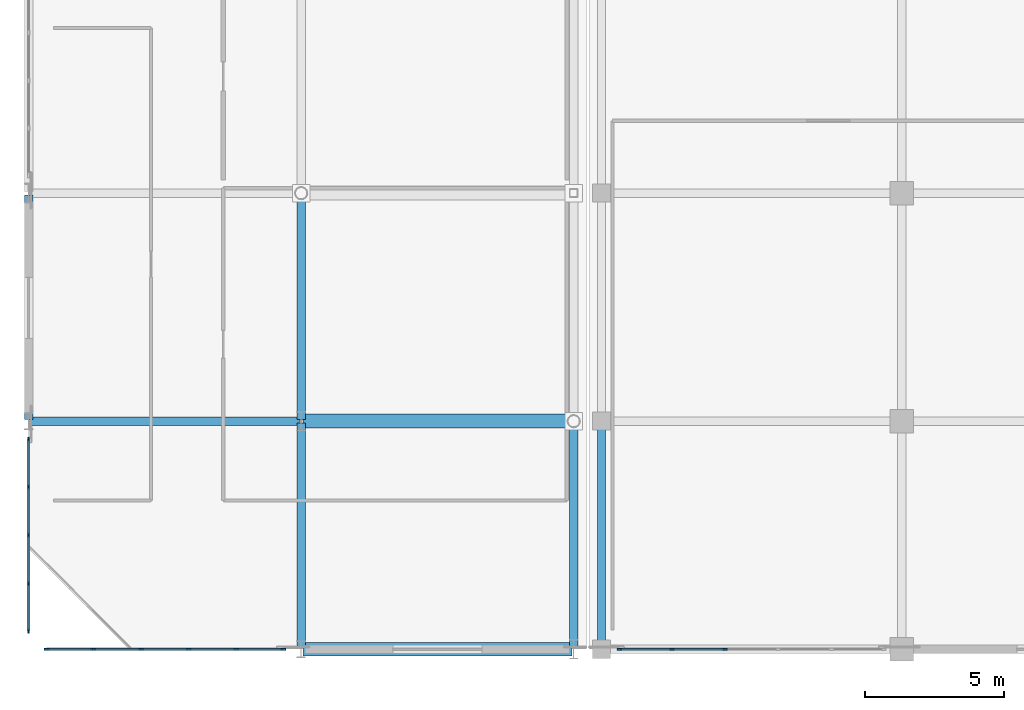
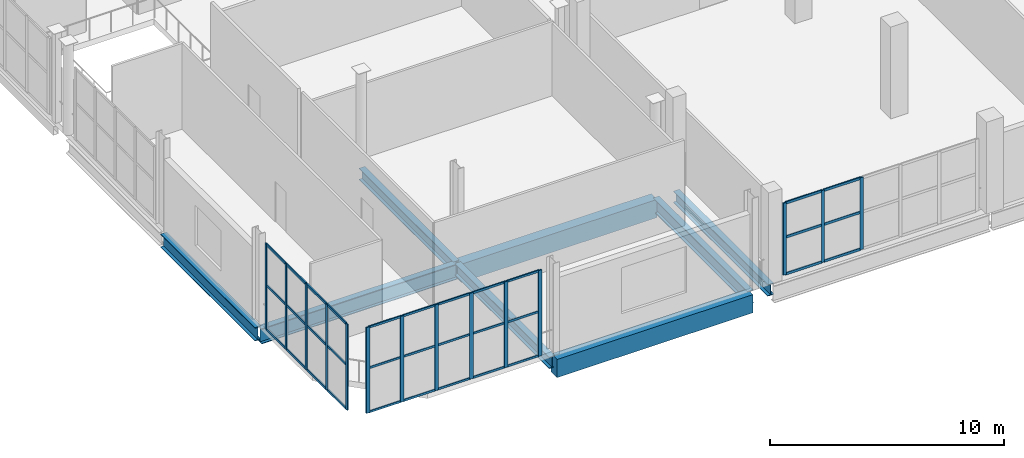
# One storey, part 12 of 142: 47 members, 8 beams, 3 elements without a shape of their own.
"""IFC4 building model written with IfcOpenShell, lengths in metres."""

from ifc_helpers import new_model, si_unit, direction, frame, origin, origin_2d, place, context, subcontext, project, spatial, rectangle, i_section, extrude, material, material_profile, profile_set, type_object, element, aggregate, save


model = new_model("IFC4")

# Units and contexts
model_context = context("Model", 3, precision=1e-05, world=origin(), true_north=direction((0.0, 1.0)))
body_context = subcontext(model_context, "Body", "Model", "MODEL_VIEW")
ifc_project = project(units=[si_unit("LENGTHUNIT", "METRE"), si_unit("AREAUNIT", "SQUARE_METRE"), si_unit("VOLUMEUNIT", "CUBIC_METRE"), si_unit("PLANEANGLEUNIT", "RADIAN"), si_unit("MASSUNIT", "GRAM", prefix="KILO")], contexts=[model_context])

# Site, building, storey
site_placement = place(None, origin())
site = spatial("IfcSite", under=ifc_project, at=site_placement, CompositionType="ELEMENT")
building_placement = place(site_placement, origin())
building = spatial("IfcBuilding", under=site, at=building_placement, Name="Koshinbarg Plaza Stadium", CompositionType="ELEMENT")
storey_placement = place(building_placement, frame((0.0, 0.0, 10.199951171875)))
storey = spatial("IfcBuildingStorey", under=building, at=storey_placement, Name="L02", CompositionType="ELEMENT", Elevation=10.199951171875)

# Beams
ifc_material_1 = material(Name="Concrete C40/50", Category="concrete")
ifc_material_profile_1 = material_profile(ifc_material_1, rectangle(XDim=0.5, YDim=0.949951171875, at=origin_2d()), Name="RC 500x950")
ifc_profile_set_1 = profile_set([ifc_material_profile_1], Name="Concrete C40/50")
beam_type_1 = type_object("IfcBeamType", Name="BM-RCG-06", PredefinedType="USERDEFINED", material=ifc_profile_set_1)
for number, where, z_axis, x_axis, name in (
    (1, (13.860107421875, 0.0, -0.77490234375), (1.0, 0.0, 0.0), (0.0, 1.0, 0.0), "L02 X girder A/3-4"),
    (2, (13.860107421875, 8.199951171875, -0.77490234375), (1.0, 0.0, 0.0), (0.0, 1.0, 0.0), "L02 X girder B/3-4"),
):
    element("IfcBeam", number, at=place(storey_placement, frame(where, z_axis=z_axis, x_axis=x_axis)), inside=storey, type_object=beam_type_1, Name=name, ObjectType="GIRDER", PredefinedType="USERDEFINED", context=body_context, shape_type="SweptSolid", body=[
        extrude(rectangle(XDim=0.5, YDim=0.949951171875, at=origin_2d()), origin(), (0.0, 0.0, 1.0), 9.679931640625),
    ])
ifc_material_2 = material(Name="Steel S355", Category="steel")
ifc_material_profile_2 = material_profile(ifc_material_2, i_section(OverallWidth=0.300048828125, OverallDepth=0.60009765625, WebThickness=0.015380859375, FlangeThickness=0.030029296875, at=origin_2d()), Name="HEB 600")
ifc_profile_set_2 = profile_set([ifc_material_profile_2], Name="Steel S355")
beam_type_2 = type_object("IfcBeamType", Name="BM-SGIR-02", PredefinedType="USERDEFINED", material=ifc_profile_set_2)
beam_1_placement = place(storey_placement, frame((13.800048828125, 0.06005859375, -0.599853515625), z_axis=(0.0, 1.0, 0.0), x_axis=(-1.0, 0.0, 0.0)))
element("IfcBeam", 3, at=beam_1_placement, inside=storey, type_object=beam_type_2, Name="L02 Y girder 3/A-B", ObjectType="GIRDER", PredefinedType="USERDEFINED", context=body_context, shape_type="SweptSolid", body=[
    extrude(i_section(OverallWidth=0.300048828125, OverallDepth=0.60009765625, WebThickness=0.015380859375, FlangeThickness=0.030029296875, at=origin_2d()), origin(), (0.0, 0.0, 1.0), 8.079833984375),
])
beam_2_placement = place(storey_placement, frame((13.800048828125, 8.260009765625, -0.599853515625), z_axis=(0.0, 1.0, 0.0), x_axis=(-1.0, 0.0, 0.0)))
element("IfcBeam", 4, at=beam_2_placement, inside=storey, type_object=beam_type_2, Name="L02 Y girder 3/B-C", ObjectType="GIRDER", PredefinedType="USERDEFINED", context=body_context, shape_type="SweptSolid", body=[
    extrude(i_section(OverallWidth=0.300048828125, OverallDepth=0.60009765625, WebThickness=0.015380859375, FlangeThickness=0.030029296875, at=origin_2d()), origin(), (0.0, 0.0, 1.0), 8.080078125),
])
beam_3_placement = place(storey_placement, frame((24.60009765625, 0.06005859375, -0.599853515625), z_axis=(0.0, 1.0, 0.0), x_axis=(-1.0, 0.0, 0.0)))
element("IfcBeam", 5, at=beam_3_placement, inside=storey, type_object=beam_type_2, Name="L02 Y girder 5/A-B", ObjectType="GIRDER", PredefinedType="USERDEFINED", context=body_context, shape_type="SweptSolid", body=[
    extrude(i_section(OverallWidth=0.300048828125, OverallDepth=0.60009765625, WebThickness=0.015380859375, FlangeThickness=0.030029296875, at=origin_2d()), origin(), (0.0, 0.0, 1.0), 8.079833984375),
])
ifc_material_profile_3 = material_profile(ifc_material_2, i_section(OverallWidth=0.300048828125, OverallDepth=0.699951171875, WebThickness=0.01708984375, FlangeThickness=0.031982421875, at=origin_2d()), Name="HEB 700")
ifc_profile_set_3 = profile_set([ifc_material_profile_3], Name="Steel S355")
beam_type_3 = type_object("IfcBeamType", Name="BM-SGIR-03", PredefinedType="USERDEFINED", material=ifc_profile_set_3)
beam_4_placement = place(storey_placement, frame((4.0, 8.260009765625, -0.64990234375), z_axis=(0.0, 1.0, 0.0), x_axis=(-1.0, 0.0, 0.0)))
element("IfcBeam", 6, at=beam_4_placement, inside=storey, type_object=beam_type_3, Name="L02 Y girder 2/B-C", ObjectType="GIRDER", PredefinedType="USERDEFINED", context=body_context, shape_type="SweptSolid", body=[
    extrude(i_section(OverallWidth=0.300048828125, OverallDepth=0.699951171875, WebThickness=0.01708984375, FlangeThickness=0.031982421875, at=origin_2d()), origin(), (0.0, 0.0, 1.0), 8.080078125),
])
beam_5_placement = place(storey_placement, frame((23.60009765625, 0.06005859375, -0.64990234375), z_axis=(0.0, 1.0, 0.0), x_axis=(-1.0, 0.0, 0.0)))
element("IfcBeam", 7, at=beam_5_placement, inside=storey, type_object=beam_type_3, Name="L02 Y girder 4/A-B", ObjectType="GIRDER", PredefinedType="USERDEFINED", context=body_context, shape_type="SweptSolid", body=[
    extrude(i_section(OverallWidth=0.300048828125, OverallDepth=0.699951171875, WebThickness=0.01708984375, FlangeThickness=0.031982421875, at=origin_2d()), origin(), (0.0, 0.0, 1.0), 8.079833984375),
])
ifc_material_profile_4 = material_profile(ifc_material_2, i_section(OverallWidth=0.300048828125, OverallDepth=0.800048828125, WebThickness=0.017578125, FlangeThickness=0.032958984375, at=origin_2d()), Name="HEB 800")
ifc_profile_set_4 = profile_set([ifc_material_profile_4], Name="Steel S355")
beam_type_4 = type_object("IfcBeamType", Name="BM-SGIR-04", PredefinedType="USERDEFINED", material=ifc_profile_set_4)
beam_6_placement = place(storey_placement, frame((4.06005859375, 8.199951171875, -0.699951171875), z_axis=(1.0, 0.0, 0.0), x_axis=(0.0, 1.0, 0.0)))
element("IfcBeam", 8, at=beam_6_placement, inside=storey, type_object=beam_type_4, Name="L02 X girder B/2-3", ObjectType="GIRDER", PredefinedType="USERDEFINED", context=body_context, shape_type="SweptSolid", body=[
    extrude(i_section(OverallWidth=0.300048828125, OverallDepth=0.800048828125, WebThickness=0.017578125, FlangeThickness=0.032958984375, at=origin_2d()), origin(), (0.0, 0.0, 1.0), 9.679931640625),
])

# Curtain wall, members
ifc_material_3 = material(Name="Thermally broken anodised aluminium and low-E double glazing", Category="aluminium")
curtain_wall_type_1 = type_object("IfcCurtainWallType", Name="CW-SYS-06", PredefinedType="NOTDEFINED", material=ifc_material_3)
curtain_wall_1_placement = place(storey_placement, origin())
curtain_wall_1 = element("IfcCurtainWall", 9, at=curtain_wall_1_placement, inside=storey, type_object=curtain_wall_type_1, Name="L02 unitised curtain wall CW-L02-037", PredefinedType="NOTDEFINED")
ifc_material_4 = material(Name="Anodised aluminium mullion", Category="aluminium")
ifc_material_profile_5 = material_profile(ifc_material_4, rectangle(XDim=0.06005859375, YDim=0.159912109375, at=origin_2d()), Name="ALU 60x160")
ifc_profile_set_5 = profile_set([ifc_material_profile_5], Name="Anodised aluminium mullion")
member_type_1 = type_object("IfcMemberType", Name="CW-MUL-02", PredefinedType="MULLION", material=ifc_profile_set_5)
member_1_placement = place(storey_placement, frame((4.0, 0.64990234375, 0.0), z_axis=(0.0, 0.0, 1.0), x_axis=(-1.0, 0.0, 0.0)))
member_1 = element("IfcMember", 10, at=member_1_placement, type_object=member_type_1, Name="CW06 mullion 1", PredefinedType="MULLION", context=body_context, shape_type="SweptSolid", body=[
    extrude(rectangle(XDim=0.06005859375, YDim=0.159912109375, at=origin_2d()), origin(), (0.0, 0.0, 1.0), 4.47998046875),
])
member_2_placement = place(storey_placement, frame((4.0, 2.360107421875, 0.0), z_axis=(0.0, 0.0, 1.0), x_axis=(-1.0, 0.0, 0.0)))
member_2 = element("IfcMember", 11, at=member_2_placement, type_object=member_type_1, Name="CW06 mullion 2", PredefinedType="MULLION", context=body_context, shape_type="SweptSolid", body=[
    extrude(rectangle(XDim=0.06005859375, YDim=0.159912109375, at=origin_2d()), origin(), (0.0, 0.0, 1.0), 4.47998046875),
])
member_3_placement = place(storey_placement, frame((4.0, 4.10009765625, 0.0), z_axis=(0.0, 0.0, 1.0), x_axis=(-1.0, 0.0, 0.0)))
member_3 = element("IfcMember", 12, at=member_3_placement, type_object=member_type_1, Name="CW06 mullion 3", PredefinedType="MULLION", context=body_context, shape_type="SweptSolid", body=[
    extrude(rectangle(XDim=0.06005859375, YDim=0.159912109375, at=origin_2d()), origin(), (0.0, 0.0, 1.0), 4.47998046875),
])
member_4_placement = place(storey_placement, frame((4.0, 5.840087890625, 0.0), z_axis=(0.0, 0.0, 1.0), x_axis=(-1.0, 0.0, 0.0)))
member_4 = element("IfcMember", 13, at=member_4_placement, type_object=member_type_1, Name="CW06 mullion 4", PredefinedType="MULLION", context=body_context, shape_type="SweptSolid", body=[
    extrude(rectangle(XDim=0.06005859375, YDim=0.159912109375, at=origin_2d()), origin(), (0.0, 0.0, 1.0), 4.47998046875),
])
member_5_placement = place(storey_placement, frame((4.0, 7.550048828125, 0.0), z_axis=(0.0, 0.0, 1.0), x_axis=(-1.0, 0.0, 0.0)))
member_5 = element("IfcMember", 14, at=member_5_placement, type_object=member_type_1, Name="CW06 mullion 5", PredefinedType="MULLION", context=body_context, shape_type="SweptSolid", body=[
    extrude(rectangle(XDim=0.06005859375, YDim=0.159912109375, at=origin_2d()), origin(), (0.0, 0.0, 1.0), 4.47998046875),
])

curtain_wall_2_placement = place(storey_placement, origin())
curtain_wall_2 = element("IfcCurtainWall", 15, at=curtain_wall_2_placement, inside=storey, type_object=curtain_wall_type_1, Name="L02 unitised curtain wall CW-L02-069", PredefinedType="NOTDEFINED")
member_6_placement = place(storey_placement, frame((29.0439453125, 0.0, 0.0), z_axis=(0.0, 0.0, 1.0), x_axis=(0.0, -1.0, 0.0)))
member_6 = element("IfcMember", 16, at=member_6_placement, type_object=member_type_1, Name="CW06 mullion 4", PredefinedType="MULLION", context=body_context, shape_type="SweptSolid", body=[
    extrude(rectangle(XDim=0.06005859375, YDim=0.159912109375, at=origin_2d()), origin(), (0.0, 0.0, 1.0), 3.760009765625),
])
member_7_placement = place(storey_placement, frame((27.132080078125, 0.0, 0.0), z_axis=(0.0, 0.0, 1.0), x_axis=(0.0, -1.0, 0.0)))
member_7 = element("IfcMember", 17, at=member_7_placement, type_object=member_type_1, Name="CW06 mullion 5", PredefinedType="MULLION", context=body_context, shape_type="SweptSolid", body=[
    extrude(rectangle(XDim=0.06005859375, YDim=0.159912109375, at=origin_2d()), origin(), (0.0, 0.0, 1.0), 3.760009765625),
])
member_8_placement = place(storey_placement, frame((25.25, 0.0, 0.0), z_axis=(0.0, 0.0, 1.0), x_axis=(0.0, -1.0, 0.0)))
member_8 = element("IfcMember", 18, at=member_8_placement, type_object=member_type_1, Name="CW06 mullion 6", PredefinedType="MULLION", context=body_context, shape_type="SweptSolid", body=[
    extrude(rectangle(XDim=0.06005859375, YDim=0.159912109375, at=origin_2d()), origin(), (0.0, 0.0, 1.0), 3.760009765625),
])

curtain_wall_type_2 = type_object("IfcCurtainWallType", Name="CW-SYS-07", PredefinedType="NOTDEFINED", material=ifc_material_3)
curtain_wall_3_placement = place(storey_placement, origin())
curtain_wall_3 = element("IfcCurtainWall", 19, at=curtain_wall_3_placement, inside=storey, type_object=curtain_wall_type_2, Name="L02 unitised curtain wall CW-L02-070", PredefinedType="NOTDEFINED")
ifc_material_profile_6 = material_profile(ifc_material_4, rectangle(XDim=0.070068359375, YDim=0.179931640625, at=origin_2d()), Name="ALU 70x180")
ifc_profile_set_6 = profile_set([ifc_material_profile_6], Name="Anodised aluminium mullion")
member_type_2 = type_object("IfcMemberType", Name="CW-MUL-03", PredefinedType="MULLION", material=ifc_profile_set_6)
member_9_placement = place(storey_placement, frame((13.14990234375, 0.0, 0.0), z_axis=(0.0, 0.0, 1.0), x_axis=(0.0, -1.0, 0.0)))
member_9 = element("IfcMember", 20, at=member_9_placement, type_object=member_type_2, Name="CW07 mullion 1", PredefinedType="MULLION", context=body_context, shape_type="SweptSolid", body=[
    extrude(rectangle(XDim=0.070068359375, YDim=0.179931640625, at=origin_2d()), origin(), (0.0, 0.0, 1.0), 4.47998046875),
])
member_10_placement = place(storey_placement, frame((11.468017578125, 0.0, 0.0), z_axis=(0.0, 0.0, 1.0), x_axis=(0.0, -1.0, 0.0)))
member_10 = element("IfcMember", 21, at=member_10_placement, type_object=member_type_2, Name="CW07 mullion 2", PredefinedType="MULLION", context=body_context, shape_type="SweptSolid", body=[
    extrude(rectangle(XDim=0.070068359375, YDim=0.179931640625, at=origin_2d()), origin(), (0.0, 0.0, 1.0), 4.47998046875),
])
member_11_placement = place(storey_placement, frame((9.756103515625, 0.0, 0.0), z_axis=(0.0, 0.0, 1.0), x_axis=(0.0, -1.0, 0.0)))
member_11 = element("IfcMember", 22, at=member_11_placement, type_object=member_type_2, Name="CW07 mullion 3", PredefinedType="MULLION", context=body_context, shape_type="SweptSolid", body=[
    extrude(rectangle(XDim=0.070068359375, YDim=0.179931640625, at=origin_2d()), origin(), (0.0, 0.0, 1.0), 4.47998046875),
])
member_12_placement = place(storey_placement, frame((8.0439453125, 0.0, 0.0), z_axis=(0.0, 0.0, 1.0), x_axis=(0.0, -1.0, 0.0)))
member_12 = element("IfcMember", 23, at=member_12_placement, type_object=member_type_2, Name="CW07 mullion 4", PredefinedType="MULLION", context=body_context, shape_type="SweptSolid", body=[
    extrude(rectangle(XDim=0.070068359375, YDim=0.179931640625, at=origin_2d()), origin(), (0.0, 0.0, 1.0), 4.47998046875),
])
member_13_placement = place(storey_placement, frame((6.33203125, 0.0, 0.0), z_axis=(0.0, 0.0, 1.0), x_axis=(0.0, -1.0, 0.0)))
member_13 = element("IfcMember", 24, at=member_13_placement, type_object=member_type_2, Name="CW07 mullion 5", PredefinedType="MULLION", context=body_context, shape_type="SweptSolid", body=[
    extrude(rectangle(XDim=0.070068359375, YDim=0.179931640625, at=origin_2d()), origin(), (0.0, 0.0, 1.0), 4.47998046875),
])
member_14_placement = place(storey_placement, frame((4.64990234375, 0.0, 0.0), z_axis=(0.0, 0.0, 1.0), x_axis=(0.0, -1.0, 0.0)))
member_14 = element("IfcMember", 25, at=member_14_placement, type_object=member_type_2, Name="CW07 mullion 6", PredefinedType="MULLION", context=body_context, shape_type="SweptSolid", body=[
    extrude(rectangle(XDim=0.070068359375, YDim=0.179931640625, at=origin_2d()), origin(), (0.0, 0.0, 1.0), 4.47998046875),
])
ifc_material_5 = material(Name="Anodised aluminium transom", Category="aluminium")
ifc_material_profile_7 = material_profile(ifc_material_5, rectangle(XDim=0.06005859375, YDim=0.110107421875, at=origin_2d()), Name="ALU 60x110")
ifc_profile_set_7 = profile_set([ifc_material_profile_7], Name="Anodised aluminium transom")
member_type_3 = type_object("IfcMemberType", Name="CW-TRN-01", PredefinedType="USERDEFINED", material=ifc_profile_set_7)
member_15_placement = place(storey_placement, frame((13.1201171875, 0.0, 0.030029296875), z_axis=(-1.0, 0.0, 0.0), x_axis=(0.0, -1.0, 0.0)))
member_15 = element("IfcMember", 26, at=member_15_placement, type_object=member_type_3, Name="CW07 transom 1.1", ObjectType="TRANSOM", PredefinedType="USERDEFINED", context=body_context, shape_type="SweptSolid", body=[
    extrude(rectangle(XDim=0.06005859375, YDim=0.110107421875, at=origin_2d()), origin(), (0.0, 0.0, 1.0), 1.6220703125),
])
member_16_placement = place(storey_placement, frame((13.1201171875, 0.0, 2.32958984375), z_axis=(-1.0, 0.0, 0.0), x_axis=(0.0, -1.0, 0.0)))
member_16 = element("IfcMember", 27, at=member_16_placement, type_object=member_type_3, Name="CW07 transom 1.2", ObjectType="TRANSOM", PredefinedType="USERDEFINED", context=body_context, shape_type="SweptSolid", body=[
    extrude(rectangle(XDim=0.06005859375, YDim=0.110107421875, at=origin_2d()), origin(), (0.0, 0.0, 1.0), 1.6220703125),
])
member_17_placement = place(storey_placement, frame((13.1201171875, 0.0, 4.449951171875), z_axis=(-1.0, 0.0, 0.0), x_axis=(0.0, -1.0, 0.0)))
member_17 = element("IfcMember", 28, at=member_17_placement, type_object=member_type_3, Name="CW07 transom 1.3", ObjectType="TRANSOM", PredefinedType="USERDEFINED", context=body_context, shape_type="SweptSolid", body=[
    extrude(rectangle(XDim=0.06005859375, YDim=0.110107421875, at=origin_2d()), origin(), (0.0, 0.0, 1.0), 1.6220703125),
])
member_18_placement = place(storey_placement, frame((11.43798828125, 0.0, 0.030029296875), z_axis=(-1.0, 0.0, 0.0), x_axis=(0.0, -1.0, 0.0)))
member_18 = element("IfcMember", 29, at=member_18_placement, type_object=member_type_3, Name="CW07 transom 2.1", ObjectType="TRANSOM", PredefinedType="USERDEFINED", context=body_context, shape_type="SweptSolid", body=[
    extrude(rectangle(XDim=0.06005859375, YDim=0.110107421875, at=origin_2d()), origin(), (0.0, 0.0, 1.0), 1.652099609375),
])
member_19_placement = place(storey_placement, frame((11.43798828125, 0.0, 2.32958984375), z_axis=(-1.0, 0.0, 0.0), x_axis=(0.0, -1.0, 0.0)))
member_19 = element("IfcMember", 30, at=member_19_placement, type_object=member_type_3, Name="CW07 transom 2.2", ObjectType="TRANSOM", PredefinedType="USERDEFINED", context=body_context, shape_type="SweptSolid", body=[
    extrude(rectangle(XDim=0.06005859375, YDim=0.110107421875, at=origin_2d()), origin(), (0.0, 0.0, 1.0), 1.652099609375),
])
member_20_placement = place(storey_placement, frame((11.43798828125, 0.0, 4.449951171875), z_axis=(-1.0, 0.0, 0.0), x_axis=(0.0, -1.0, 0.0)))
member_20 = element("IfcMember", 31, at=member_20_placement, type_object=member_type_3, Name="CW07 transom 2.3", ObjectType="TRANSOM", PredefinedType="USERDEFINED", context=body_context, shape_type="SweptSolid", body=[
    extrude(rectangle(XDim=0.06005859375, YDim=0.110107421875, at=origin_2d()), origin(), (0.0, 0.0, 1.0), 1.652099609375),
])
member_21_placement = place(storey_placement, frame((9.72607421875, 0.0, 0.030029296875), z_axis=(-1.0, 0.0, 0.0), x_axis=(0.0, -1.0, 0.0)))
member_21 = element("IfcMember", 32, at=member_21_placement, type_object=member_type_3, Name="CW07 transom 3.1", ObjectType="TRANSOM", PredefinedType="USERDEFINED", context=body_context, shape_type="SweptSolid", body=[
    extrude(rectangle(XDim=0.06005859375, YDim=0.110107421875, at=origin_2d()), origin(), (0.0, 0.0, 1.0), 1.652099609375),
])
member_22_placement = place(storey_placement, frame((9.72607421875, 0.0, 2.32958984375), z_axis=(-1.0, 0.0, 0.0), x_axis=(0.0, -1.0, 0.0)))
member_22 = element("IfcMember", 33, at=member_22_placement, type_object=member_type_3, Name="CW07 transom 3.2", ObjectType="TRANSOM", PredefinedType="USERDEFINED", context=body_context, shape_type="SweptSolid", body=[
    extrude(rectangle(XDim=0.06005859375, YDim=0.110107421875, at=origin_2d()), origin(), (0.0, 0.0, 1.0), 1.652099609375),
])
member_23_placement = place(storey_placement, frame((9.72607421875, 0.0, 4.449951171875), z_axis=(-1.0, 0.0, 0.0), x_axis=(0.0, -1.0, 0.0)))
member_23 = element("IfcMember", 34, at=member_23_placement, type_object=member_type_3, Name="CW07 transom 3.3", ObjectType="TRANSOM", PredefinedType="USERDEFINED", context=body_context, shape_type="SweptSolid", body=[
    extrude(rectangle(XDim=0.06005859375, YDim=0.110107421875, at=origin_2d()), origin(), (0.0, 0.0, 1.0), 1.652099609375),
])
member_24_placement = place(storey_placement, frame((8.013916015625, 0.0, 0.030029296875), z_axis=(-1.0, 0.0, 0.0), x_axis=(0.0, -1.0, 0.0)))
member_24 = element("IfcMember", 35, at=member_24_placement, type_object=member_type_3, Name="CW07 transom 4.1", ObjectType="TRANSOM", PredefinedType="USERDEFINED", context=body_context, shape_type="SweptSolid", body=[
    extrude(rectangle(XDim=0.06005859375, YDim=0.110107421875, at=origin_2d()), origin(), (0.0, 0.0, 1.0), 1.65185546875),
])
member_25_placement = place(storey_placement, frame((8.013916015625, 0.0, 2.32958984375), z_axis=(-1.0, 0.0, 0.0), x_axis=(0.0, -1.0, 0.0)))
member_25 = element("IfcMember", 36, at=member_25_placement, type_object=member_type_3, Name="CW07 transom 4.2", ObjectType="TRANSOM", PredefinedType="USERDEFINED", context=body_context, shape_type="SweptSolid", body=[
    extrude(rectangle(XDim=0.06005859375, YDim=0.110107421875, at=origin_2d()), origin(), (0.0, 0.0, 1.0), 1.65185546875),
])
member_26_placement = place(storey_placement, frame((8.013916015625, 0.0, 4.449951171875), z_axis=(-1.0, 0.0, 0.0), x_axis=(0.0, -1.0, 0.0)))
member_26 = element("IfcMember", 37, at=member_26_placement, type_object=member_type_3, Name="CW07 transom 4.3", ObjectType="TRANSOM", PredefinedType="USERDEFINED", context=body_context, shape_type="SweptSolid", body=[
    extrude(rectangle(XDim=0.06005859375, YDim=0.110107421875, at=origin_2d()), origin(), (0.0, 0.0, 1.0), 1.65185546875),
])
member_27_placement = place(storey_placement, frame((6.302001953125, 0.0, 0.030029296875), z_axis=(-1.0, 0.0, 0.0), x_axis=(0.0, -1.0, 0.0)))
member_27 = element("IfcMember", 38, at=member_27_placement, type_object=member_type_3, Name="CW07 transom 5.1", ObjectType="TRANSOM", PredefinedType="USERDEFINED", context=body_context, shape_type="SweptSolid", body=[
    extrude(rectangle(XDim=0.06005859375, YDim=0.110107421875, at=origin_2d()), origin(), (0.0, 0.0, 1.0), 1.6220703125),
])
member_28_placement = place(storey_placement, frame((6.302001953125, 0.0, 2.32958984375), z_axis=(-1.0, 0.0, 0.0), x_axis=(0.0, -1.0, 0.0)))
member_28 = element("IfcMember", 39, at=member_28_placement, type_object=member_type_3, Name="CW07 transom 5.2", ObjectType="TRANSOM", PredefinedType="USERDEFINED", context=body_context, shape_type="SweptSolid", body=[
    extrude(rectangle(XDim=0.06005859375, YDim=0.110107421875, at=origin_2d()), origin(), (0.0, 0.0, 1.0), 1.6220703125),
])
member_29_placement = place(storey_placement, frame((6.302001953125, 0.0, 4.449951171875), z_axis=(-1.0, 0.0, 0.0), x_axis=(0.0, -1.0, 0.0)))
member_29 = element("IfcMember", 40, at=member_29_placement, type_object=member_type_3, Name="CW07 transom 5.3", ObjectType="TRANSOM", PredefinedType="USERDEFINED", context=body_context, shape_type="SweptSolid", body=[
    extrude(rectangle(XDim=0.06005859375, YDim=0.110107421875, at=origin_2d()), origin(), (0.0, 0.0, 1.0), 1.6220703125),
])
aggregate(curtain_wall_3, [member_9, member_10, member_11, member_12, member_13, member_14, member_15, member_16, member_17, member_18, member_19, member_20, member_21, member_22, member_23, member_24, member_25, member_26, member_27, member_28, member_29])

# Member
ifc_material_profile_8 = material_profile(ifc_material_5, rectangle(XDim=0.06005859375, YDim=0.1298828125, at=origin_2d()), Name="ALU 60x130")
ifc_profile_set_8 = profile_set([ifc_material_profile_8], Name="Anodised aluminium transom")
member_type_4 = type_object("IfcMemberType", Name="CW-TRN-02", PredefinedType="USERDEFINED", material=ifc_profile_set_8)
member_30_placement = place(storey_placement, frame((4.0, 0.679931640625, 0.030029296875), z_axis=(0.0, 1.0, 0.0), x_axis=(-1.0, 0.0, 0.0)))
member_30 = element("IfcMember", 41, at=member_30_placement, type_object=member_type_4, Name="CW06 transom 1.1", ObjectType="TRANSOM", PredefinedType="USERDEFINED", context=body_context, shape_type="SweptSolid", body=[
    extrude(rectangle(XDim=0.06005859375, YDim=0.1298828125, at=origin_2d()), origin(), (0.0, 0.0, 1.0), 1.650146484375),
])

member_31_placement = place(storey_placement, frame((4.0, 0.679931640625, 2.32958984375), z_axis=(0.0, 1.0, 0.0), x_axis=(-1.0, 0.0, 0.0)))
member_31 = element("IfcMember", 42, at=member_31_placement, type_object=member_type_4, Name="CW06 transom 1.2", ObjectType="TRANSOM", PredefinedType="USERDEFINED", context=body_context, shape_type="SweptSolid", body=[
    extrude(rectangle(XDim=0.06005859375, YDim=0.1298828125, at=origin_2d()), origin(), (0.0, 0.0, 1.0), 1.650146484375),
])

member_32_placement = place(storey_placement, frame((4.0, 0.679931640625, 4.449951171875), z_axis=(0.0, 1.0, 0.0), x_axis=(-1.0, 0.0, 0.0)))
member_32 = element("IfcMember", 43, at=member_32_placement, type_object=member_type_4, Name="CW06 transom 1.3", ObjectType="TRANSOM", PredefinedType="USERDEFINED", context=body_context, shape_type="SweptSolid", body=[
    extrude(rectangle(XDim=0.06005859375, YDim=0.1298828125, at=origin_2d()), origin(), (0.0, 0.0, 1.0), 1.650146484375),
])

member_33_placement = place(storey_placement, frame((4.0, 2.389892578125, 0.030029296875), z_axis=(0.0, 1.0, 0.0), x_axis=(-1.0, 0.0, 0.0)))
member_33 = element("IfcMember", 44, at=member_33_placement, type_object=member_type_4, Name="CW06 transom 2.1", ObjectType="TRANSOM", PredefinedType="USERDEFINED", context=body_context, shape_type="SweptSolid", body=[
    extrude(rectangle(XDim=0.06005859375, YDim=0.1298828125, at=origin_2d()), origin(), (0.0, 0.0, 1.0), 1.68017578125),
])

member_34_placement = place(storey_placement, frame((4.0, 2.389892578125, 2.32958984375), z_axis=(0.0, 1.0, 0.0), x_axis=(-1.0, 0.0, 0.0)))
member_34 = element("IfcMember", 45, at=member_34_placement, type_object=member_type_4, Name="CW06 transom 2.2", ObjectType="TRANSOM", PredefinedType="USERDEFINED", context=body_context, shape_type="SweptSolid", body=[
    extrude(rectangle(XDim=0.06005859375, YDim=0.1298828125, at=origin_2d()), origin(), (0.0, 0.0, 1.0), 1.68017578125),
])

member_35_placement = place(storey_placement, frame((4.0, 2.389892578125, 4.449951171875), z_axis=(0.0, 1.0, 0.0), x_axis=(-1.0, 0.0, 0.0)))
member_35 = element("IfcMember", 46, at=member_35_placement, type_object=member_type_4, Name="CW06 transom 2.3", ObjectType="TRANSOM", PredefinedType="USERDEFINED", context=body_context, shape_type="SweptSolid", body=[
    extrude(rectangle(XDim=0.06005859375, YDim=0.1298828125, at=origin_2d()), origin(), (0.0, 0.0, 1.0), 1.68017578125),
])

member_36_placement = place(storey_placement, frame((4.0, 4.1298828125, 0.030029296875), z_axis=(0.0, 1.0, 0.0), x_axis=(-1.0, 0.0, 0.0)))
member_36 = element("IfcMember", 47, at=member_36_placement, type_object=member_type_4, Name="CW06 transom 3.1", ObjectType="TRANSOM", PredefinedType="USERDEFINED", context=body_context, shape_type="SweptSolid", body=[
    extrude(rectangle(XDim=0.06005859375, YDim=0.1298828125, at=origin_2d()), origin(), (0.0, 0.0, 1.0), 1.68017578125),
])

member_37_placement = place(storey_placement, frame((4.0, 4.1298828125, 2.32958984375), z_axis=(0.0, 1.0, 0.0), x_axis=(-1.0, 0.0, 0.0)))
member_37 = element("IfcMember", 48, at=member_37_placement, type_object=member_type_4, Name="CW06 transom 3.2", ObjectType="TRANSOM", PredefinedType="USERDEFINED", context=body_context, shape_type="SweptSolid", body=[
    extrude(rectangle(XDim=0.06005859375, YDim=0.1298828125, at=origin_2d()), origin(), (0.0, 0.0, 1.0), 1.68017578125),
])

member_38_placement = place(storey_placement, frame((4.0, 4.1298828125, 4.449951171875), z_axis=(0.0, 1.0, 0.0), x_axis=(-1.0, 0.0, 0.0)))
member_38 = element("IfcMember", 49, at=member_38_placement, type_object=member_type_4, Name="CW06 transom 3.3", ObjectType="TRANSOM", PredefinedType="USERDEFINED", context=body_context, shape_type="SweptSolid", body=[
    extrude(rectangle(XDim=0.06005859375, YDim=0.1298828125, at=origin_2d()), origin(), (0.0, 0.0, 1.0), 1.68017578125),
])

member_39_placement = place(storey_placement, frame((4.0, 5.8701171875, 0.030029296875), z_axis=(0.0, 1.0, 0.0), x_axis=(-1.0, 0.0, 0.0)))
member_39 = element("IfcMember", 50, at=member_39_placement, type_object=member_type_4, Name="CW06 transom 4.1", ObjectType="TRANSOM", PredefinedType="USERDEFINED", context=body_context, shape_type="SweptSolid", body=[
    extrude(rectangle(XDim=0.06005859375, YDim=0.1298828125, at=origin_2d()), origin(), (0.0, 0.0, 1.0), 1.64990234375),
])

member_40_placement = place(storey_placement, frame((4.0, 5.8701171875, 2.32958984375), z_axis=(0.0, 1.0, 0.0), x_axis=(-1.0, 0.0, 0.0)))
member_40 = element("IfcMember", 51, at=member_40_placement, type_object=member_type_4, Name="CW06 transom 4.2", ObjectType="TRANSOM", PredefinedType="USERDEFINED", context=body_context, shape_type="SweptSolid", body=[
    extrude(rectangle(XDim=0.06005859375, YDim=0.1298828125, at=origin_2d()), origin(), (0.0, 0.0, 1.0), 1.64990234375),
])

member_41_placement = place(storey_placement, frame((4.0, 5.8701171875, 4.449951171875), z_axis=(0.0, 1.0, 0.0), x_axis=(-1.0, 0.0, 0.0)))
member_41 = element("IfcMember", 52, at=member_41_placement, type_object=member_type_4, Name="CW06 transom 4.3", ObjectType="TRANSOM", PredefinedType="USERDEFINED", context=body_context, shape_type="SweptSolid", body=[
    extrude(rectangle(XDim=0.06005859375, YDim=0.1298828125, at=origin_2d()), origin(), (0.0, 0.0, 1.0), 1.64990234375),
])

aggregate(curtain_wall_1, [member_1, member_2, member_3, member_4, member_5, member_30, member_31, member_32, member_33, member_34, member_35, member_36, member_37, member_38, member_39, member_40, member_41])

member_42_placement = place(storey_placement, frame((29.013916015625, 0.0, 0.030029296875), z_axis=(-1.0, 0.0, 0.0), x_axis=(0.0, -1.0, 0.0)))
member_42 = element("IfcMember", 53, at=member_42_placement, type_object=member_type_4, Name="CW06 transom 4.1", ObjectType="TRANSOM", PredefinedType="USERDEFINED", context=body_context, shape_type="SweptSolid", body=[
    extrude(rectangle(XDim=0.06005859375, YDim=0.1298828125, at=origin_2d()), origin(), (0.0, 0.0, 1.0), 1.851806640625),
])

member_43_placement = place(storey_placement, frame((29.013916015625, 0.0, 1.955322265625), z_axis=(-1.0, 0.0, 0.0), x_axis=(0.0, -1.0, 0.0)))
member_43 = element("IfcMember", 54, at=member_43_placement, type_object=member_type_4, Name="CW06 transom 4.2", ObjectType="TRANSOM", PredefinedType="USERDEFINED", context=body_context, shape_type="SweptSolid", body=[
    extrude(rectangle(XDim=0.06005859375, YDim=0.1298828125, at=origin_2d()), origin(), (0.0, 0.0, 1.0), 1.851806640625),
])

member_44_placement = place(storey_placement, frame((29.013916015625, 0.0, 3.72998046875), z_axis=(-1.0, 0.0, 0.0), x_axis=(0.0, -1.0, 0.0)))
member_44 = element("IfcMember", 55, at=member_44_placement, type_object=member_type_4, Name="CW06 transom 4.3", ObjectType="TRANSOM", PredefinedType="USERDEFINED", context=body_context, shape_type="SweptSolid", body=[
    extrude(rectangle(XDim=0.06005859375, YDim=0.1298828125, at=origin_2d()), origin(), (0.0, 0.0, 1.0), 1.851806640625),
])

member_45_placement = place(storey_placement, frame((27.10205078125, 0.0, 0.030029296875), z_axis=(-1.0, 0.0, 0.0), x_axis=(0.0, -1.0, 0.0)))
member_45 = element("IfcMember", 56, at=member_45_placement, type_object=member_type_4, Name="CW06 transom 5.1", ObjectType="TRANSOM", PredefinedType="USERDEFINED", context=body_context, shape_type="SweptSolid", body=[
    extrude(rectangle(XDim=0.06005859375, YDim=0.1298828125, at=origin_2d()), origin(), (0.0, 0.0, 1.0), 1.822021484375),
])

member_46_placement = place(storey_placement, frame((27.10205078125, 0.0, 1.955322265625), z_axis=(-1.0, 0.0, 0.0), x_axis=(0.0, -1.0, 0.0)))
member_46 = element("IfcMember", 57, at=member_46_placement, type_object=member_type_4, Name="CW06 transom 5.2", ObjectType="TRANSOM", PredefinedType="USERDEFINED", context=body_context, shape_type="SweptSolid", body=[
    extrude(rectangle(XDim=0.06005859375, YDim=0.1298828125, at=origin_2d()), origin(), (0.0, 0.0, 1.0), 1.822021484375),
])

member_47_placement = place(storey_placement, frame((27.10205078125, 0.0, 3.72998046875), z_axis=(-1.0, 0.0, 0.0), x_axis=(0.0, -1.0, 0.0)))
member_47 = element("IfcMember", 58, at=member_47_placement, type_object=member_type_4, Name="CW06 transom 5.3", ObjectType="TRANSOM", PredefinedType="USERDEFINED", context=body_context, shape_type="SweptSolid", body=[
    extrude(rectangle(XDim=0.06005859375, YDim=0.1298828125, at=origin_2d()), origin(), (0.0, 0.0, 1.0), 1.822021484375),
])

aggregate(curtain_wall_2, [member_6, member_7, member_8, member_42, member_43, member_44, member_45, member_46, member_47])

save(model, "model.ifc")
